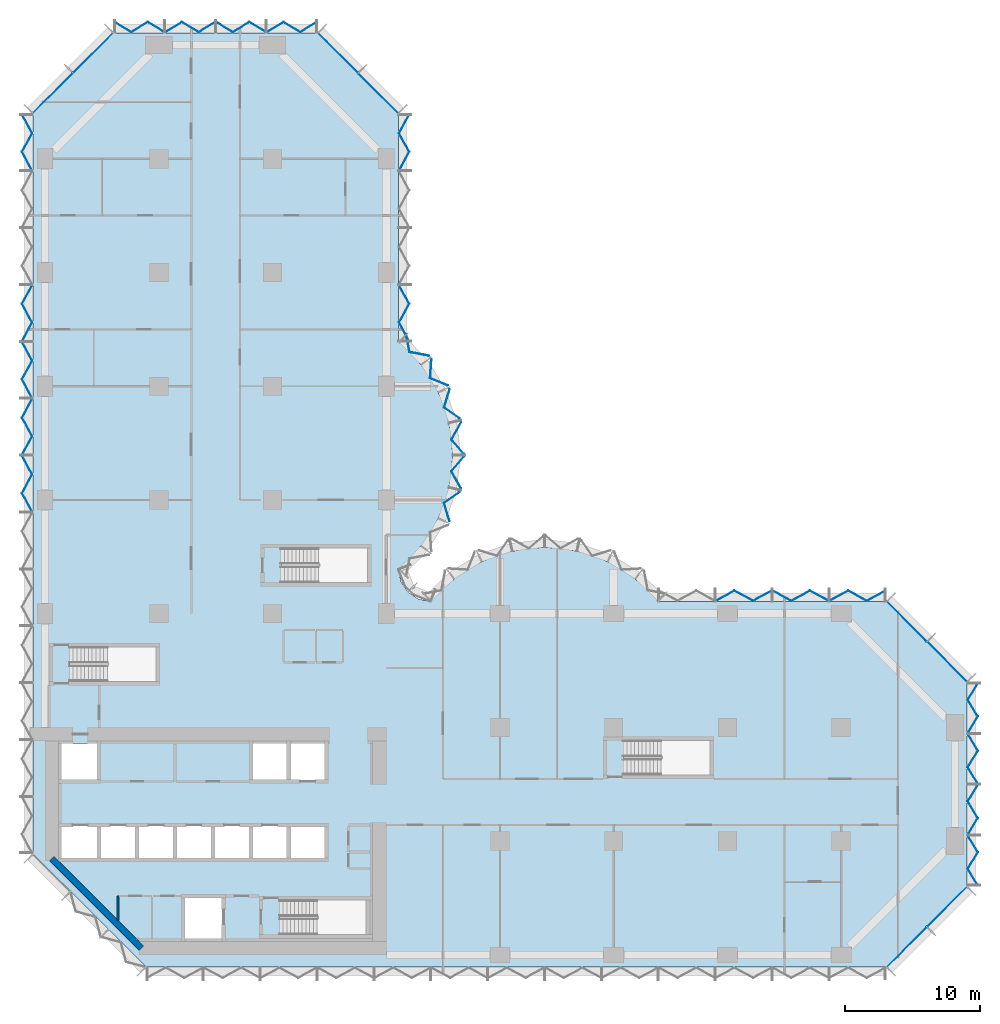
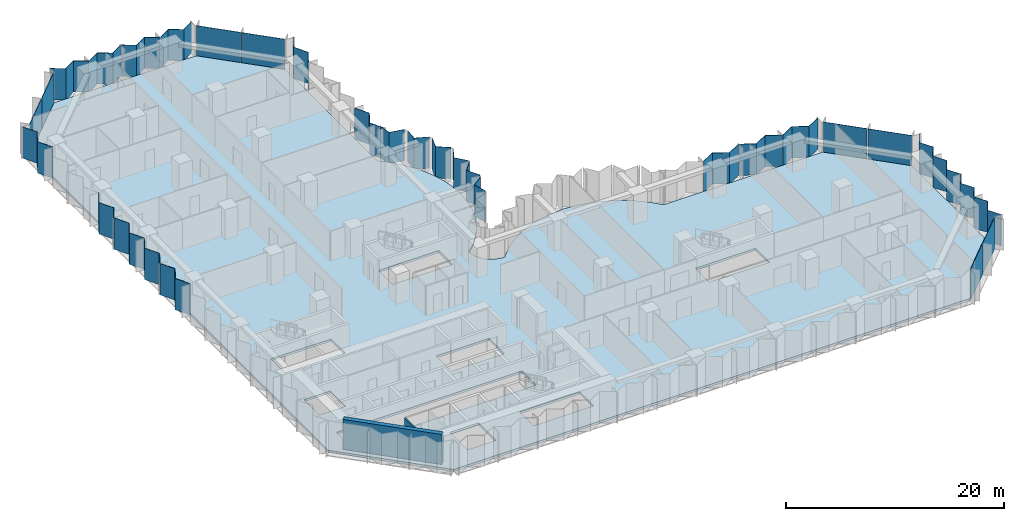
# One storey, part 6 of 15: 32 plates, 2 walls, 1 slab, 10 elements without a shape of their own.
"""IFC4 building model written with IfcOpenShell, lengths in metres."""

from ifc_helpers import new_model, si_unit, direction, frame, frame_2d, origin, place, context, subcontext, project, spatial, polyline, rectangle, outline, extrude, material, layer, layer_set, type_object, element, aggregate, save


model = new_model("IFC4")

# Units and contexts
model_context = context("Model", 3, precision=1e-05, world=origin(), true_north=direction((0.0, 1.0)))
body_context = subcontext(model_context, "Body", "Model", "MODEL_VIEW")
ifc_project = project(units=[si_unit("LENGTHUNIT", "METRE"), si_unit("AREAUNIT", "SQUARE_METRE"), si_unit("VOLUMEUNIT", "CUBIC_METRE"), si_unit("PLANEANGLEUNIT", "RADIAN"), si_unit("MASSUNIT", "GRAM", prefix="KILO")], contexts=[model_context])

# Site, building, storey
site_placement = place(None, origin())
site = spatial("IfcSite", under=ifc_project, at=site_placement, CompositionType="ELEMENT")
building_placement = place(site_placement, origin())
building = spatial("IfcBuilding", under=site, at=building_placement, Name="Brevane Broadcast Tower", CompositionType="ELEMENT")
storey_placement = place(building_placement, frame((0.0, 0.0, 58.10009765625)))
storey = spatial("IfcBuildingStorey", under=building, at=storey_placement, Name="L12", CompositionType="ELEMENT", Elevation=58.10009765625)

# Curtain wall, plates
ifc_material_1 = material(Name="Aluminium 6063-T6 bronze anodised", Category="aluminium")
curtain_wall_type = type_object("IfcCurtainWallType", Name="CW-1 curtain wall", PredefinedType="NOTDEFINED", material=ifc_material_1)
curtain_wall_1_placement = place(storey_placement, origin())
curtain_wall_1 = element("IfcCurtainWall", 1, at=curtain_wall_1_placement, inside=storey, type_object=curtain_wall_type, Name="CW-1 typical tilted unit L12 south-east chamfer", PredefinedType="NOTDEFINED")
ifc_material_2 = material(Name="Laminated glass bronze-tinted", Category="glass")
ifc_layer_1 = layer(ifc_material_2, 0.0400390625)
ifc_layer_set_1 = layer_set([ifc_layer_1], Name="CW tall glass panel 40")
plate_type = type_object("IfcPlateType", Name="CW tall glass panel 40", PredefinedType="CURTAIN_PANEL", material=ifc_layer_set_1)
plate_1_placement = place(storey_placement, frame((0.0, 0.0, -0.150146484375)))
plate_1 = element("IfcPlate", 2, at=plate_1_placement, type_object=plate_type, Name="CW-1 glass panel", PredefinedType="CURTAIN_PANEL", context=body_context, shape_type="SweptSolid", body=[
    extrude(outline(polyline([(62.14599609375, -0.896484375), (65.096435546875, 2.053955078125), (65.124755859375, 2.02587890625), (62.17431640625, -0.9248046875), (62.14599609375, -0.896484375)])), origin(), (0.0, 0.0, 1.0), 3.5),
])
plate_2_placement = place(storey_placement, frame((0.0, 0.0, -0.150146484375)))
plate_2 = element("IfcPlate", 3, at=plate_2_placement, type_object=plate_type, Name="CW-1 glass panel", PredefinedType="CURTAIN_PANEL", context=body_context, shape_type="SweptSolid", body=[
    extrude(outline(polyline([(65.14599609375, 2.103515625), (68.096435546875, 5.053955078125), (68.124755859375, 5.02587890625), (65.17431640625, 2.0751953125), (65.14599609375, 2.103515625)])), origin(), (0.0, 0.0, 1.0), 3.5),
])
aggregate(curtain_wall_1, [plate_1, plate_2])

curtain_wall_2_placement = place(storey_placement, origin())
curtain_wall_2 = element("IfcCurtainWall", 4, at=curtain_wall_2_placement, inside=storey, type_object=curtain_wall_type, Name="CW-1 typical tilted unit L12 east end", PredefinedType="NOTDEFINED")
plate_3_placement = place(storey_placement, frame((0.0, 0.0, -0.150146484375)))
plate_3 = element("IfcPlate", 5, at=plate_3_placement, type_object=plate_type, Name="CW-1 glass panel", PredefinedType="CURTAIN_PANEL", context=body_context, shape_type="SweptSolid", body=[
    extrude(outline(polyline([(68.87109375, 5.135009765625), (68.917724609375, 5.135009765625), (68.17333984375, 6.36181640625), (68.917724609375, 7.58837890625), (68.17333984375, 8.81494140625), (68.126708984375, 8.81494140625), (68.87109375, 7.58837890625), (68.126708984375, 6.36181640625), (68.87109375, 5.135009765625)])), origin(), (0.0, 0.0, 1.0), 3.5),
])
plate_4_placement = place(storey_placement, frame((0.0, 0.0, -0.150146484375)))
plate_4 = element("IfcPlate", 6, at=plate_4_placement, type_object=plate_type, Name="CW-1 glass panel", PredefinedType="CURTAIN_PANEL", context=body_context, shape_type="SweptSolid", body=[
    extrude(outline(polyline([(68.126708984375, 8.885009765625), (68.17333984375, 8.885009765625), (68.917724609375, 10.11181640625), (68.17333984375, 11.33837890625), (68.917724609375, 12.56494140625), (68.87109375, 12.56494140625), (68.126708984375, 11.33837890625), (68.87109375, 10.11181640625), (68.126708984375, 8.885009765625)])), origin(), (0.0, 0.0, 1.0), 3.5),
])
plate_5_placement = place(storey_placement, frame((0.0, 0.0, -0.150146484375)))
plate_5 = element("IfcPlate", 7, at=plate_5_placement, type_object=plate_type, Name="CW-1 glass panel", PredefinedType="CURTAIN_PANEL", context=body_context, shape_type="SweptSolid", body=[
    extrude(outline(polyline([(68.87109375, 12.635009765625), (68.917724609375, 12.635009765625), (68.17333984375, 13.86181640625), (68.917724609375, 15.08837890625), (68.17333984375, 16.31494140625), (68.126708984375, 16.31494140625), (68.87109375, 15.08837890625), (68.126708984375, 13.86181640625), (68.87109375, 12.635009765625)])), origin(), (0.0, 0.0, 1.0), 3.5),
])
plate_6_placement = place(storey_placement, frame((0.0, 0.0, -0.150146484375)))
plate_6 = element("IfcPlate", 8, at=plate_6_placement, type_object=plate_type, Name="CW-1 glass panel", PredefinedType="CURTAIN_PANEL", context=body_context, shape_type="SweptSolid", body=[
    extrude(outline(polyline([(68.126708984375, 16.385009765625), (68.17333984375, 16.385009765625), (68.917724609375, 17.61181640625), (68.17333984375, 18.83837890625), (68.917724609375, 20.06494140625), (68.87109375, 20.06494140625), (68.126708984375, 18.83837890625), (68.87109375, 17.61181640625), (68.126708984375, 16.385009765625)])), origin(), (0.0, 0.0, 1.0), 3.5),
])
aggregate(curtain_wall_2, [plate_3, plate_4, plate_5, plate_6])

curtain_wall_3_placement = place(storey_placement, origin())
curtain_wall_3 = element("IfcCurtainWall", 9, at=curtain_wall_3_placement, inside=storey, type_object=curtain_wall_type, Name="CW-1 typical tilted unit L12 north-east chamfer", PredefinedType="NOTDEFINED")
plate_7_placement = place(storey_placement, frame((0.0, 0.0, -0.150146484375)))
plate_7 = element("IfcPlate", 10, at=plate_7_placement, type_object=plate_type, Name="CW-1 glass panel", PredefinedType="CURTAIN_PANEL", context=body_context, shape_type="SweptSolid", body=[
    extrude(outline(polyline([(68.096435546875, 20.14599609375), (65.14599609375, 23.096435546875), (65.17431640625, 23.124755859375), (68.124755859375, 20.17431640625), (68.096435546875, 20.14599609375)])), origin(), (0.0, 0.0, 1.0), 3.5),
])
plate_8_placement = place(storey_placement, frame((0.0, 0.0, -0.150146484375)))
plate_8 = element("IfcPlate", 11, at=plate_8_placement, type_object=plate_type, Name="CW-1 glass panel", PredefinedType="CURTAIN_PANEL", context=body_context, shape_type="SweptSolid", body=[
    extrude(outline(polyline([(65.096435546875, 23.14599609375), (62.14599609375, 26.096435546875), (62.17431640625, 26.124755859375), (65.124755859375, 23.17431640625), (65.096435546875, 23.14599609375)])), origin(), (0.0, 0.0, 1.0), 3.5),
])
aggregate(curtain_wall_3, [plate_7, plate_8])

curtain_wall_4_placement = place(storey_placement, origin())
curtain_wall_4 = element("IfcCurtainWall", 12, at=curtain_wall_4_placement, inside=storey, type_object=curtain_wall_type, Name="CW-1 typical tilted unit L12 east arm north face", PredefinedType="NOTDEFINED")
plate_9_placement = place(storey_placement, frame((0.0, 0.0, -0.150146484375)))
plate_9 = element("IfcPlate", 13, at=plate_9_placement, type_object=plate_type, Name="CW-1 glass panel", PredefinedType="CURTAIN_PANEL", context=body_context, shape_type="SweptSolid", body=[
    extrude(outline(polyline([(62.06494140625, 26.87158203125), (62.06494140625, 26.9169921875), (60.688232421875, 26.172607421875), (59.311767578125, 26.9169921875), (57.93505859375, 26.172607421875), (57.93505859375, 26.127197265625), (59.311767578125, 26.87158203125), (60.688232421875, 26.127197265625), (62.06494140625, 26.87158203125)])), origin(), (0.0, 0.0, 1.0), 3.5),
])
plate_10_placement = place(storey_placement, frame((0.0, 0.0, -0.150146484375)))
plate_10 = element("IfcPlate", 14, at=plate_10_placement, type_object=plate_type, Name="CW-1 glass panel", PredefinedType="CURTAIN_PANEL", context=body_context, shape_type="SweptSolid", body=[
    extrude(outline(polyline([(57.864990234375, 26.127197265625), (57.864990234375, 26.172607421875), (56.48828125, 26.9169921875), (55.11181640625, 26.172607421875), (53.735107421875, 26.9169921875), (53.735107421875, 26.87158203125), (55.11181640625, 26.127197265625), (56.48828125, 26.87158203125), (57.864990234375, 26.127197265625)])), origin(), (0.0, 0.0, 1.0), 3.5),
])
plate_11_placement = place(storey_placement, frame((0.0, 0.0, -0.150146484375)))
plate_11 = element("IfcPlate", 15, at=plate_11_placement, type_object=plate_type, Name="CW-1 glass panel", PredefinedType="CURTAIN_PANEL", context=body_context, shape_type="SweptSolid", body=[
    extrude(outline(polyline([(53.6650390625, 26.87158203125), (53.6650390625, 26.9169921875), (52.288330078125, 26.172607421875), (50.91162109375, 26.9169921875), (49.534912109375, 26.172607421875), (49.534912109375, 26.127197265625), (50.91162109375, 26.87158203125), (52.288330078125, 26.127197265625), (53.6650390625, 26.87158203125)])), origin(), (0.0, 0.0, 1.0), 3.5),
])
aggregate(curtain_wall_4, [plate_9, plate_10, plate_11])

curtain_wall_5_placement = place(storey_placement, origin())
curtain_wall_5 = element("IfcCurtainWall", 16, at=curtain_wall_5_placement, inside=storey, type_object=curtain_wall_type, Name="CW-1 typical tilted unit L12 north bow", PredefinedType="NOTDEFINED")
plate_12_placement = place(storey_placement, frame((0.0, 0.0, -0.150146484375)))
plate_12 = element("IfcPlate", 17, at=plate_12_placement, type_object=plate_type, Name="CW-1 glass panel", PredefinedType="CURTAIN_PANEL", context=body_context, shape_type="SweptSolid", body=[
    extrude(outline(polyline([(29.851806640625, 32.044677734375), (29.900634765625, 32.021484375), (29.494384765625, 33.364501953125), (30.622802734375, 34.167236328125), (30.57080078125, 34.17919921875), (29.44775390625, 33.380615234375), (29.851806640625, 32.044677734375)])), origin(), (0.0, 0.0, 1.0), 3.5),
])
plate_13_placement = place(storey_placement, frame((0.0, 0.0, -0.150146484375)))
plate_13 = element("IfcPlate", 18, at=plate_13_placement, type_object=plate_type, Name="CW-1 glass panel", PredefinedType="CURTAIN_PANEL", context=body_context, shape_type="SweptSolid", body=[
    extrude(outline(polyline([(30.68798828125, 34.483642578125), (30.740478515625, 34.4716796875), (30.036376953125, 35.730224609375), (30.94921875, 36.7919921875), (30.896484375, 36.7919921875), (29.98779296875, 35.735107421875), (30.68798828125, 34.483642578125)])), origin(), (0.0, 0.0, 1.0), 3.5),
])
plate_14_placement = place(storey_placement, frame((0.0, 0.0, -0.150146484375)))
plate_14 = element("IfcPlate", 19, at=plate_14_placement, type_object=plate_type, Name="CW-1 glass panel", PredefinedType="CURTAIN_PANEL", context=body_context, shape_type="SweptSolid", body=[
    extrude(outline(polyline([(30.896484375, 37.008056640625), (30.94921875, 37.008056640625), (30.036376953125, 38.069580078125), (30.740478515625, 39.328369140625), (30.68798828125, 39.31640625), (29.98779296875, 38.064697265625), (30.896484375, 37.008056640625)])), origin(), (0.0, 0.0, 1.0), 3.5),
])
plate_15_placement = place(storey_placement, frame((0.0, 0.0, -0.150146484375)))
plate_15 = element("IfcPlate", 20, at=plate_15_placement, type_object=plate_type, Name="CW-1 glass panel", PredefinedType="CURTAIN_PANEL", context=body_context, shape_type="SweptSolid", body=[
    extrude(outline(polyline([(30.57080078125, 39.62060546875), (30.622802734375, 39.6328125), (29.494384765625, 40.435546875), (29.900634765625, 41.778564453125), (29.851806640625, 41.75537109375), (29.44775390625, 40.41943359375), (30.57080078125, 39.62060546875)])), origin(), (0.0, 0.0, 1.0), 3.5),
])
plate_16_placement = place(storey_placement, frame((0.0, 0.0, -0.150146484375)))
plate_16 = element("IfcPlate", 21, at=plate_16_placement, type_object=plate_type, Name="CW-1 glass panel", PredefinedType="CURTAIN_PANEL", context=body_context, shape_type="SweptSolid", body=[
    extrude(outline(polyline([(29.712890625, 42.046875), (29.76171875, 42.0703125), (28.462890625, 42.601318359375), (28.551025390625, 43.9833984375), (28.5087890625, 43.950439453125), (28.42138671875, 42.5751953125), (29.712890625, 42.046875)])), origin(), (0.0, 0.0, 1.0), 3.5),
])
plate_17_placement = place(storey_placement, frame((0.0, 0.0, -0.150146484375)))
plate_17 = element("IfcPlate", 22, at=plate_17_placement, type_object=plate_type, Name="CW-1 glass panel", PredefinedType="CURTAIN_PANEL", context=body_context, shape_type="SweptSolid", body=[
    extrude(outline(polyline([(28.34375, 44.231201171875), (28.3857421875, 44.263916015625), (26.9423828125, 44.539306640625), (26.690185546875, 45.82470703125), (26.656005859375, 45.79150390625), (26.908203125, 44.5048828125), (28.34375, 44.231201171875)])), origin(), (0.0, 0.0, 1.0), 3.5),
])
aggregate(curtain_wall_5, [plate_12, plate_13, plate_14, plate_15, plate_16, plate_17])

curtain_wall_6_placement = place(storey_placement, origin())
curtain_wall_6 = element("IfcCurtainWall", 23, at=curtain_wall_6_placement, inside=storey, type_object=curtain_wall_type, Name="CW-1 typical tilted unit L12 north arm east face", PredefinedType="NOTDEFINED")
plate_18_placement = place(storey_placement, frame((0.0, 0.0, -0.150146484375)))
plate_18 = element("IfcPlate", 24, at=plate_18_placement, type_object=plate_type, Name="CW-1 glass panel", PredefinedType="CURTAIN_PANEL", context=body_context, shape_type="SweptSolid", body=[
    extrude(outline(polyline([(26.87158203125, 45.3349609375), (26.9169921875, 45.3349609375), (26.172607421875, 46.711669921875), (26.9169921875, 48.08837890625), (26.172607421875, 49.465087890625), (26.127197265625, 49.465087890625), (26.87158203125, 48.08837890625), (26.127197265625, 46.711669921875), (26.87158203125, 45.3349609375)])), origin(), (0.0, 0.0, 1.0), 3.5),
])
plate_19_placement = place(storey_placement, frame((0.0, 0.0, -0.150146484375)))
plate_19 = element("IfcPlate", 25, at=plate_19_placement, type_object=plate_type, Name="CW-1 glass panel", PredefinedType="CURTAIN_PANEL", context=body_context, shape_type="SweptSolid", body=[
    extrude(outline(polyline([(26.127197265625, 57.93505859375), (26.172607421875, 57.93505859375), (26.9169921875, 59.311767578125), (26.172607421875, 60.688232421875), (26.9169921875, 62.06494140625), (26.87158203125, 62.06494140625), (26.127197265625, 60.688232421875), (26.87158203125, 59.311767578125), (26.127197265625, 57.93505859375)])), origin(), (0.0, 0.0, 1.0), 3.5),
])
aggregate(curtain_wall_6, [plate_18, plate_19])

curtain_wall_7_placement = place(storey_placement, origin())
curtain_wall_7 = element("IfcCurtainWall", 26, at=curtain_wall_7_placement, inside=storey, type_object=curtain_wall_type, Name="CW-1 typical tilted unit L12 north arm north-east chamfer", PredefinedType="NOTDEFINED")
plate_20_placement = place(storey_placement, frame((0.0, 0.0, -0.150146484375)))
plate_20 = element("IfcPlate", 27, at=plate_20_placement, type_object=plate_type, Name="CW-1 glass panel", PredefinedType="CURTAIN_PANEL", context=body_context, shape_type="SweptSolid", body=[
    extrude(outline(polyline([(26.096435546875, 62.14599609375), (23.14599609375, 65.096435546875), (23.17431640625, 65.124755859375), (26.124755859375, 62.17431640625), (26.096435546875, 62.14599609375)])), origin(), (0.0, 0.0, 1.0), 3.5),
])
plate_21_placement = place(storey_placement, frame((0.0, 0.0, -0.150146484375)))
plate_21 = element("IfcPlate", 28, at=plate_21_placement, type_object=plate_type, Name="CW-1 glass panel", PredefinedType="CURTAIN_PANEL", context=body_context, shape_type="SweptSolid", body=[
    extrude(outline(polyline([(23.096435546875, 65.14599609375), (20.14599609375, 68.096435546875), (20.17431640625, 68.124755859375), (23.124755859375, 65.17431640625), (23.096435546875, 65.14599609375)])), origin(), (0.0, 0.0, 1.0), 3.5),
])
aggregate(curtain_wall_7, [plate_20, plate_21])

curtain_wall_8_placement = place(storey_placement, origin())
curtain_wall_8 = element("IfcCurtainWall", 29, at=curtain_wall_8_placement, inside=storey, type_object=curtain_wall_type, Name="CW-1 typical tilted unit L12 north end", PredefinedType="NOTDEFINED")
plate_22_placement = place(storey_placement, frame((0.0, 0.0, -0.150146484375)))
plate_22 = element("IfcPlate", 30, at=plate_22_placement, type_object=plate_type, Name="CW-1 glass panel", PredefinedType="CURTAIN_PANEL", context=body_context, shape_type="SweptSolid", body=[
    extrude(outline(polyline([(20.06494140625, 68.87109375), (20.06494140625, 68.917724609375), (18.83837890625, 68.17333984375), (17.61181640625, 68.917724609375), (16.385009765625, 68.17333984375), (16.385009765625, 68.126708984375), (17.61181640625, 68.87109375), (18.83837890625, 68.126708984375), (20.06494140625, 68.87109375)])), origin(), (0.0, 0.0, 1.0), 3.5),
])
plate_23_placement = place(storey_placement, frame((0.0, 0.0, -0.150146484375)))
plate_23 = element("IfcPlate", 31, at=plate_23_placement, type_object=plate_type, Name="CW-1 glass panel", PredefinedType="CURTAIN_PANEL", context=body_context, shape_type="SweptSolid", body=[
    extrude(outline(polyline([(16.31494140625, 68.126708984375), (16.31494140625, 68.17333984375), (15.08837890625, 68.917724609375), (13.86181640625, 68.17333984375), (12.635009765625, 68.917724609375), (12.635009765625, 68.87109375), (13.86181640625, 68.126708984375), (15.08837890625, 68.87109375), (16.31494140625, 68.126708984375)])), origin(), (0.0, 0.0, 1.0), 3.5),
])
plate_24_placement = place(storey_placement, frame((0.0, 0.0, -0.150146484375)))
plate_24 = element("IfcPlate", 32, at=plate_24_placement, type_object=plate_type, Name="CW-1 glass panel", PredefinedType="CURTAIN_PANEL", context=body_context, shape_type="SweptSolid", body=[
    extrude(outline(polyline([(12.56494140625, 68.87109375), (12.56494140625, 68.917724609375), (11.33837890625, 68.17333984375), (10.11181640625, 68.917724609375), (8.885009765625, 68.17333984375), (8.885009765625, 68.126708984375), (10.11181640625, 68.87109375), (11.33837890625, 68.126708984375), (12.56494140625, 68.87109375)])), origin(), (0.0, 0.0, 1.0), 3.5),
])
plate_25_placement = place(storey_placement, frame((0.0, 0.0, -0.150146484375)))
plate_25 = element("IfcPlate", 33, at=plate_25_placement, type_object=plate_type, Name="CW-1 glass panel", PredefinedType="CURTAIN_PANEL", context=body_context, shape_type="SweptSolid", body=[
    extrude(outline(polyline([(8.81494140625, 68.126708984375), (8.81494140625, 68.17333984375), (7.58837890625, 68.917724609375), (6.36181640625, 68.17333984375), (5.135009765625, 68.917724609375), (5.135009765625, 68.87109375), (6.36181640625, 68.126708984375), (7.58837890625, 68.87109375), (8.81494140625, 68.126708984375)])), origin(), (0.0, 0.0, 1.0), 3.5),
])
aggregate(curtain_wall_8, [plate_22, plate_23, plate_24, plate_25])

curtain_wall_9_placement = place(storey_placement, origin())
curtain_wall_9 = element("IfcCurtainWall", 34, at=curtain_wall_9_placement, inside=storey, type_object=curtain_wall_type, Name="CW-1 typical tilted unit L12 north-west chamfer", PredefinedType="NOTDEFINED")
plate_26_placement = place(storey_placement, frame((0.0, 0.0, -0.150146484375)))
plate_26 = element("IfcPlate", 35, at=plate_26_placement, type_object=plate_type, Name="CW-1 glass panel", PredefinedType="CURTAIN_PANEL", context=body_context, shape_type="SweptSolid", body=[
    extrude(outline(polyline([(5.053955078125, 68.096435546875), (2.103515625, 65.14599609375), (2.0751953125, 65.17431640625), (5.02587890625, 68.124755859375), (5.053955078125, 68.096435546875)])), origin(), (0.0, 0.0, 1.0), 3.5),
])
plate_27_placement = place(storey_placement, frame((0.0, 0.0, -0.150146484375)))
plate_27 = element("IfcPlate", 36, at=plate_27_placement, type_object=plate_type, Name="CW-1 glass panel", PredefinedType="CURTAIN_PANEL", context=body_context, shape_type="SweptSolid", body=[
    extrude(outline(polyline([(2.053955078125, 65.096435546875), (-0.896484375, 62.14599609375), (-0.9248046875, 62.17431640625), (2.02587890625, 65.124755859375), (2.053955078125, 65.096435546875)])), origin(), (0.0, 0.0, 1.0), 3.5),
])
aggregate(curtain_wall_9, [plate_26, plate_27])

curtain_wall_10_placement = place(storey_placement, origin())
curtain_wall_10 = element("IfcCurtainWall", 37, at=curtain_wall_10_placement, inside=storey, type_object=curtain_wall_type, Name="CW-1 typical tilted unit L12 west face", PredefinedType="NOTDEFINED")
plate_28_placement = place(storey_placement, frame((0.0, 0.0, -0.150146484375)))
plate_28 = element("IfcPlate", 38, at=plate_28_placement, type_object=plate_type, Name="CW-1 glass panel", PredefinedType="CURTAIN_PANEL", context=body_context, shape_type="SweptSolid", body=[
    extrude(outline(polyline([(-1.671630859375, 62.06494140625), (-1.717041015625, 62.06494140625), (-0.97265625, 60.688232421875), (-1.717041015625, 59.311767578125), (-0.97265625, 57.93505859375), (-0.92724609375, 57.93505859375), (-1.671630859375, 59.311767578125), (-0.92724609375, 60.688232421875), (-1.671630859375, 62.06494140625)])), origin(), (0.0, 0.0, 1.0), 3.5),
])
plate_29_placement = place(storey_placement, frame((0.0, 0.0, -0.150146484375)))
plate_29 = element("IfcPlate", 39, at=plate_29_placement, type_object=plate_type, Name="CW-1 glass panel", PredefinedType="CURTAIN_PANEL", context=body_context, shape_type="SweptSolid", body=[
    extrude(outline(polyline([(-0.92724609375, 49.465087890625), (-0.97265625, 49.465087890625), (-1.717041015625, 48.08837890625), (-0.97265625, 46.711669921875), (-1.717041015625, 45.3349609375), (-1.671630859375, 45.3349609375), (-0.92724609375, 46.711669921875), (-1.671630859375, 48.08837890625), (-0.92724609375, 49.465087890625)])), origin(), (0.0, 0.0, 1.0), 3.5),
])
plate_30_placement = place(storey_placement, frame((0.0, 0.0, -0.150146484375)))
plate_30 = element("IfcPlate", 40, at=plate_30_placement, type_object=plate_type, Name="CW-1 glass panel", PredefinedType="CURTAIN_PANEL", context=body_context, shape_type="SweptSolid", body=[
    extrude(outline(polyline([(-1.671630859375, 45.264892578125), (-1.717041015625, 45.264892578125), (-0.97265625, 43.88818359375), (-1.717041015625, 42.51171875), (-0.97265625, 41.135009765625), (-0.92724609375, 41.135009765625), (-1.671630859375, 42.51171875), (-0.92724609375, 43.88818359375), (-1.671630859375, 45.264892578125)])), origin(), (0.0, 0.0, 1.0), 3.5),
])
plate_31_placement = place(storey_placement, frame((0.0, 0.0, -0.150146484375)))
plate_31 = element("IfcPlate", 41, at=plate_31_placement, type_object=plate_type, Name="CW-1 glass panel", PredefinedType="CURTAIN_PANEL", context=body_context, shape_type="SweptSolid", body=[
    extrude(outline(polyline([(-0.92724609375, 41.06494140625), (-0.97265625, 41.06494140625), (-1.717041015625, 39.688232421875), (-0.97265625, 38.311767578125), (-1.717041015625, 36.93505859375), (-1.671630859375, 36.93505859375), (-0.92724609375, 38.311767578125), (-1.671630859375, 39.688232421875), (-0.92724609375, 41.06494140625)])), origin(), (0.0, 0.0, 1.0), 3.5),
])
plate_32_placement = place(storey_placement, frame((0.0, 0.0, -0.150146484375)))
plate_32 = element("IfcPlate", 42, at=plate_32_placement, type_object=plate_type, Name="CW-1 glass panel", PredefinedType="CURTAIN_PANEL", context=body_context, shape_type="SweptSolid", body=[
    extrude(outline(polyline([(-1.671630859375, 36.864990234375), (-1.717041015625, 36.864990234375), (-0.97265625, 35.48828125), (-1.717041015625, 34.11181640625), (-0.97265625, 32.735107421875), (-0.92724609375, 32.735107421875), (-1.671630859375, 34.11181640625), (-0.92724609375, 35.48828125), (-1.671630859375, 36.864990234375)])), origin(), (0.0, 0.0, 1.0), 3.5),
])
aggregate(curtain_wall_10, [plate_28, plate_29, plate_30, plate_31, plate_32])

# Slab
ifc_material_3 = material(Name="Concrete C40/50", Category="concrete")
ifc_layer_2 = layer(ifc_material_3, 0.25)
ifc_layer_set_2 = layer_set([ifc_layer_2], Name="RC FLOOR SLAB 250 C40/50")
slab_type = type_object("IfcSlabType", Name="RC FLOOR SLAB 250 C40/50", PredefinedType="FLOOR", material=ifc_layer_set_2)
slab_placement = place(storey_placement, frame((0.0, 0.0, -0.25)))
element("IfcSlab", 43, at=slab_placement, inside=storey, type_object=slab_type, Name="SL250 L12", PredefinedType="FLOOR", context=body_context, shape_type="SweptSolid", body=[
    extrude(outline(polyline([(-0.89990234375, 7.5), (-0.89990234375, 62.10009765625), (5.10009765625, 68.10009765625), (20.10009765625, 68.10009765625), (26.10009765625, 62.10009765625), (26.10009765625, 45.300048828125), (27.10888671875, 44.36865234375), (27.99169921875, 43.317138671875), (28.734130859375, 42.162353515625), (29.324462890625, 40.922607421875), (29.7529296875, 39.618408203125), (30.012939453125, 38.270263671875), (30.10009765625, 36.89990234375), (30.012939453125, 35.52978515625), (29.7529296875, 34.181640625), (29.324462890625, 32.877197265625), (28.734130859375, 31.6376953125), (27.99169921875, 30.48291015625), (27.10888671875, 29.431396484375), (26.10009765625, 28.5), (26.28271484375, 27.58154296875), (26.802978515625, 26.802978515625), (27.58154296875, 26.28271484375), (28.5, 26.10009765625), (29.431396484375, 27.10888671875), (30.48291015625, 27.99169921875), (31.6376953125, 28.734130859375), (32.877197265625, 29.324462890625), (34.181640625, 29.7529296875), (35.52978515625, 30.012939453125), (36.89990234375, 30.10009765625), (38.270263671875, 30.012939453125), (39.618408203125, 29.7529296875), (40.922607421875, 29.324462890625), (42.162353515625, 28.734130859375), (43.317138671875, 27.99169921875), (44.36865234375, 27.10888671875), (45.300048828125, 26.10009765625), (62.10009765625, 26.10009765625), (68.10009765625, 20.10009765625), (68.10009765625, 5.10009765625), (62.10009765625, -0.89990234375), (7.5, -0.89990234375), (-0.89990234375, 7.5)]), holes=[polyline([(13.199951171875, 4.39990234375), (10.199951171875, 4.39990234375), (10.199951171875, 1.199951171875), (13.199951171875, 1.199951171875), (13.199951171875, 4.39990234375)]), polyline([(4.0, 9.60009765625), (1.199951171875, 9.60009765625), (1.199951171875, 7.0), (4.0, 7.0), (6.800048828125, 7.0), (9.60009765625, 7.0), (12.39990234375, 7.0), (15.199951171875, 7.0), (18.0, 7.0), (20.800048828125, 7.0), (20.800048828125, 9.60009765625), (18.0, 9.60009765625), (15.199951171875, 9.60009765625), (12.39990234375, 9.60009765625), (9.60009765625, 9.60009765625), (6.800048828125, 9.60009765625), (4.0, 9.60009765625)]), polyline([(4.0, 12.800048828125), (4.0, 15.60009765625), (1.199951171875, 15.60009765625), (1.199951171875, 12.800048828125), (4.0, 12.800048828125)]), polyline([(8.199951171875, 22.75), (1.860107421875, 22.75), (1.860107421875, 20.199951171875), (8.199951171875, 20.199951171875), (8.199951171875, 22.75)]), polyline([(23.699951171875, 4.050048828125), (17.360107421875, 4.050048828125), (17.360107421875, 1.5), (23.699951171875, 1.5), (23.699951171875, 4.050048828125)]), polyline([(18.0, 15.60009765625), (15.199951171875, 15.60009765625), (15.199951171875, 12.800048828125), (18.0, 12.800048828125), (20.800048828125, 12.800048828125), (20.800048828125, 15.60009765625), (18.0, 15.60009765625)]), polyline([(49.10009765625, 15.85009765625), (42.760009765625, 15.85009765625), (42.760009765625, 13.300048828125), (49.10009765625, 13.300048828125), (49.10009765625, 15.85009765625)]), polyline([(23.800048828125, 30.050048828125), (17.4599609375, 30.050048828125), (17.4599609375, 27.5), (23.800048828125, 27.5), (23.800048828125, 30.050048828125)])]), origin(), (0.0, 0.0, 1.0), 0.25),
])

# Walls
ifc_material_4 = material(Name="Gypsum board on steel studs", Category="steel")
ifc_layer_3 = layer(ifc_material_4, 0.14990234375)
ifc_layer_set_3 = layer_set([ifc_layer_3], Name="Core fire partition 150 mm")
wall_type_1 = type_object("IfcWallType", Name="Core fire partition 150 mm", PredefinedType="PARTITIONING", material=ifc_layer_set_3)
wall_1_placement = place(storey_placement, frame((5.39990234375, 2.553466796875, 0.0), z_axis=(0.0, 0.0, 1.0), x_axis=(0.0, 1.0, 0.0)))
element("IfcWall", 44, at=wall_1_placement, inside=storey, type_object=wall_type_1, Name="L12 partition wall P10", PredefinedType="PARTITIONING", context=body_context, shape_type="SweptSolid", body=[
    extrude(rectangle(XDim=1.796630859375, YDim=0.14990234375, at=frame_2d((0.8984375, 0.0))), origin(), (0.0, 0.0, 1.0), 3.349853515625),
])
ifc_material_5 = material(Name="Concrete C80/95", Category="concrete")
ifc_layer_4 = layer(ifc_material_5, 0.449951171875)
ifc_layer_set_4 = layer_set([ifc_layer_4], Name="Core wall 450 mm C80/95")
wall_type_2 = type_object("IfcWallType", Name="Core wall 450 mm C80/95", PredefinedType="SHEAR", material=ifc_layer_set_4)
wall_2_placement = place(storey_placement, frame((0.5, 7.1181640625, 0.0), z_axis=(0.0, 0.0, 1.0), x_axis=(0.707106781187, -0.707106781187, 0.0)))
element("IfcWall", 45, at=wall_2_placement, inside=storey, type_object=wall_type_2, Name="L12 outer wall WC", PredefinedType="SHEAR", context=body_context, shape_type="SweptSolid", body=[
    extrude(rectangle(XDim=9.359619140625, YDim=0.449951171875, at=frame_2d((4.6796875, 0.0))), origin(), (0.0, 0.0, 1.0), 3.349853515625),
])

save(model, "model.ifc")
